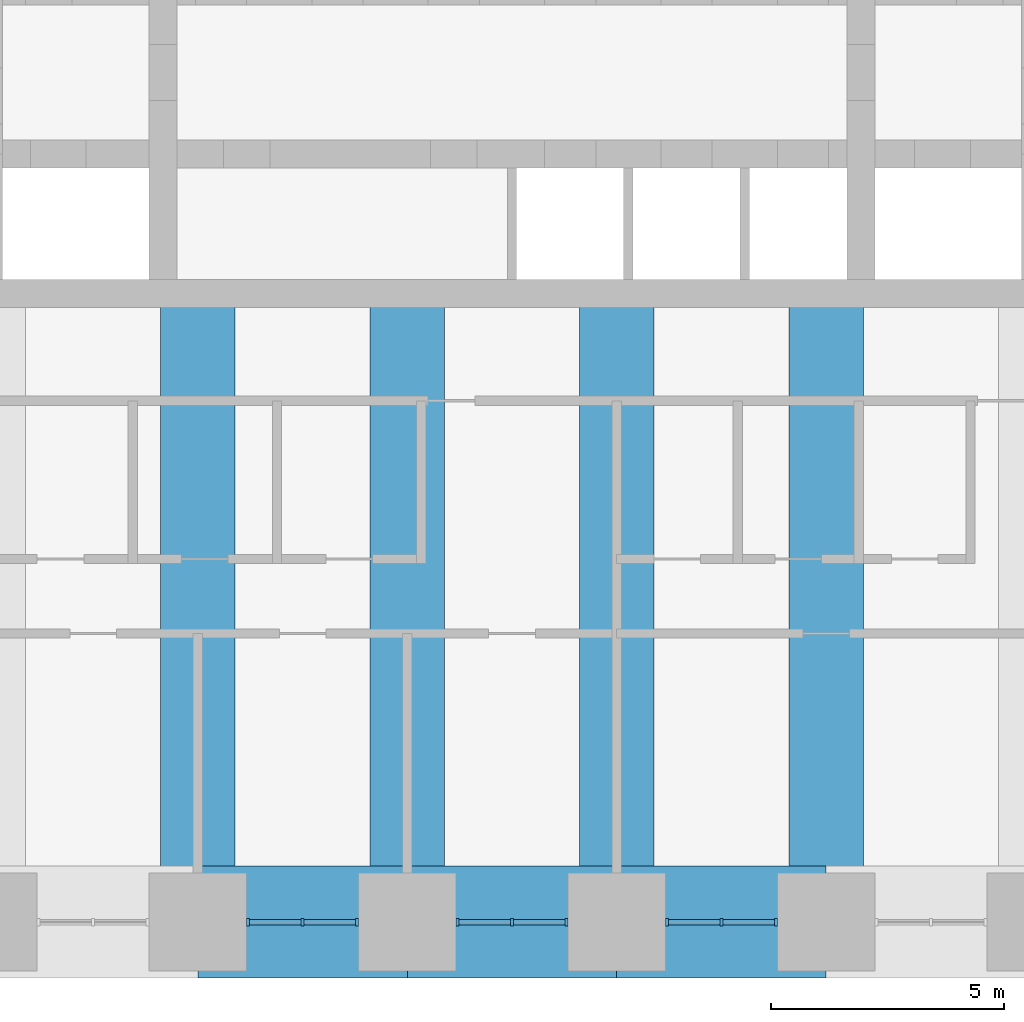
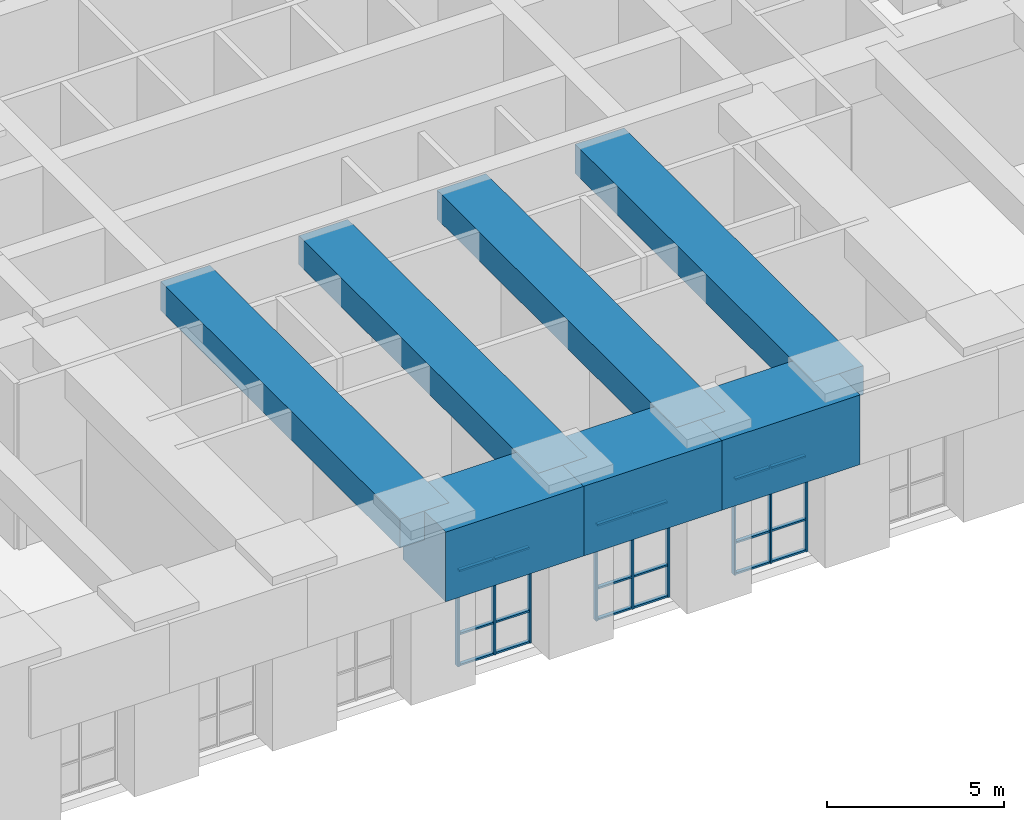
# One storey, part 3 of 17: 27 members, 7 beams, 3 elements without a shape of their own.
"""IFC4 building model written with IfcOpenShell, lengths in metres."""

from ifc_helpers import new_model, si_unit, direction, frame, origin, origin_2d, place, context, subcontext, project, spatial, rectangle, extrude, material, material_profile, profile_set, type_object, element, aggregate, save


model = new_model("IFC4")

# Units and contexts
model_context = context("Model", 3, precision=1e-05, world=origin(), true_north=direction((0.0, 1.0)))
body_context = subcontext(model_context, "Body", "Model", "MODEL_VIEW")
ifc_project = project(units=[si_unit("LENGTHUNIT", "METRE"), si_unit("AREAUNIT", "SQUARE_METRE"), si_unit("VOLUMEUNIT", "CUBIC_METRE"), si_unit("PLANEANGLEUNIT", "RADIAN"), si_unit("MASSUNIT", "GRAM", prefix="KILO")], contexts=[model_context])

# Site, building, storey
site_placement = place(None, origin())
site = spatial("IfcSite", under=ifc_project, at=site_placement, CompositionType="ELEMENT")
building_placement = place(site_placement, origin())
building = spatial("IfcBuilding", under=site, at=building_placement, Name="Kilele Tower Hotel", CompositionType="ELEMENT")
storey_placement = place(building_placement, frame((0.0, 0.0, 145.89990234375)))
storey = spatial("IfcBuildingStorey", under=building, at=storey_placement, Name="L38", CompositionType="ELEMENT", Elevation=145.89990234375)

# Beams
ifc_material_1 = material(Name="Concrete C60/75", Category="concrete")
ifc_material_profile_1 = material_profile(ifc_material_1, rectangle(XDim=1.60009765625, YDim=1.0, at=origin_2d()))
ifc_profile_set_1 = profile_set([ifc_material_profile_1], Name="Concrete C60/75")
beam_type_1 = type_object("IfcBeamType", Name="Beam RC 1600x1000 C60/75", PredefinedType="BEAM", material=ifc_profile_set_1)
for number, where, z_axis, x_axis, name in (
    (1, (18.0, 0.0, 5.2001953125), (0.0, 1.0, 0.0), (-1.0, 0.0, 0.0), "Beam BC1 level L39"),
    (2, (22.5, 0.0, 5.2001953125), (0.0, 1.0, 0.0), (-1.0, 0.0, 0.0), "Beam BC1 level L39"),
    (3, (27.0, 0.0, 5.2001953125), (0.0, 1.0, 0.0), (-1.0, 0.0, 0.0), "Beam BC1 level L39"),
    (4, (31.5, 0.0, 5.2001953125), (0.0, 1.0, 0.0), (-1.0, 0.0, 0.0), "Beam BC1 level L39"),
):
    element("IfcBeam", number, at=place(storey_placement, frame(where, z_axis=z_axis, x_axis=x_axis)), inside=storey, type_object=beam_type_1, Name=name, PredefinedType="BEAM", context=body_context, shape_type="SweptSolid", body=[
        extrude(rectangle(XDim=1.60009765625, YDim=1.0, at=origin_2d()), origin(), (0.0, 0.0, 1.0), 13.5),
    ])

# Curtain wall, members
ifc_material_2 = material(Name="Aluminium curtain wall, clear double glazing", Category="aluminium")
curtain_wall_type = type_object("IfcCurtainWallType", Name="Sky lobby curtain wall CW-3", PredefinedType="NOTDEFINED", material=ifc_material_2)
curtain_wall_1_placement = place(storey_placement, origin())
curtain_wall_1 = element("IfcCurtainWall", 5, at=curtain_wall_1_placement, inside=storey, type_object=curtain_wall_type, Name="Sky lobby curtain wall CW-3 L38", PredefinedType="NOTDEFINED")
ifc_material_3 = material(Name="Aluminium EN AW-6063 T6", Category="aluminium")
ifc_material_profile_2 = material_profile(ifc_material_3, rectangle(XDim=0.159912109375, YDim=0.06005859375, at=origin_2d()))
ifc_profile_set_2 = profile_set([ifc_material_profile_2], Name="Aluminium EN AW-6063 T6")
member_type_1 = type_object("IfcMemberType", Name="Mullion 60x160 CW-3", PredefinedType="MULLION", material=ifc_profile_set_2)
member_1_placement = place(storey_placement, frame((19.080078125, 0.0, 0.0), z_axis=(0.0, 0.0, 1.0), x_axis=(0.0, 1.0, 0.0)))
member_1 = element("IfcMember", 6, at=member_1_placement, type_object=member_type_1, Name="CW-3 mullion 1", PredefinedType="MULLION", context=body_context, shape_type="SweptSolid", body=[
    extrude(rectangle(XDim=0.159912109375, YDim=0.06005859375, at=origin_2d()), origin(), (0.0, 0.0, 1.0), 3.300048828125),
])
member_2_placement = place(storey_placement, frame((20.25, 0.0, 0.0), z_axis=(0.0, 0.0, 1.0), x_axis=(0.0, 1.0, 0.0)))
member_2 = element("IfcMember", 7, at=member_2_placement, type_object=member_type_1, Name="CW-3 mullion 2", PredefinedType="MULLION", context=body_context, shape_type="SweptSolid", body=[
    extrude(rectangle(XDim=0.159912109375, YDim=0.06005859375, at=origin_2d()), origin(), (0.0, 0.0, 1.0), 3.300048828125),
])
member_3_placement = place(storey_placement, frame((21.419921875, 0.0, 0.0), z_axis=(0.0, 0.0, 1.0), x_axis=(0.0, 1.0, 0.0)))
member_3 = element("IfcMember", 8, at=member_3_placement, type_object=member_type_1, Name="CW-3 mullion 3", PredefinedType="MULLION", context=body_context, shape_type="SweptSolid", body=[
    extrude(rectangle(XDim=0.159912109375, YDim=0.06005859375, at=origin_2d()), origin(), (0.0, 0.0, 1.0), 3.300048828125),
])

curtain_wall_2_placement = place(storey_placement, origin())
curtain_wall_2 = element("IfcCurtainWall", 9, at=curtain_wall_2_placement, inside=storey, type_object=curtain_wall_type, Name="Sky lobby curtain wall CW-3 L38", PredefinedType="NOTDEFINED")
member_4_placement = place(storey_placement, frame((23.580078125, 0.0, 0.0), z_axis=(0.0, 0.0, 1.0), x_axis=(0.0, 1.0, 0.0)))
member_4 = element("IfcMember", 10, at=member_4_placement, type_object=member_type_1, Name="CW-3 mullion 1", PredefinedType="MULLION", context=body_context, shape_type="SweptSolid", body=[
    extrude(rectangle(XDim=0.159912109375, YDim=0.06005859375, at=origin_2d()), origin(), (0.0, 0.0, 1.0), 3.300048828125),
])
member_5_placement = place(storey_placement, frame((24.75, 0.0, 0.0), z_axis=(0.0, 0.0, 1.0), x_axis=(0.0, 1.0, 0.0)))
member_5 = element("IfcMember", 11, at=member_5_placement, type_object=member_type_1, Name="CW-3 mullion 2", PredefinedType="MULLION", context=body_context, shape_type="SweptSolid", body=[
    extrude(rectangle(XDim=0.159912109375, YDim=0.06005859375, at=origin_2d()), origin(), (0.0, 0.0, 1.0), 3.300048828125),
])
member_6_placement = place(storey_placement, frame((25.919921875, 0.0, 0.0), z_axis=(0.0, 0.0, 1.0), x_axis=(0.0, 1.0, 0.0)))
member_6 = element("IfcMember", 12, at=member_6_placement, type_object=member_type_1, Name="CW-3 mullion 3", PredefinedType="MULLION", context=body_context, shape_type="SweptSolid", body=[
    extrude(rectangle(XDim=0.159912109375, YDim=0.06005859375, at=origin_2d()), origin(), (0.0, 0.0, 1.0), 3.300048828125),
])

curtain_wall_3_placement = place(storey_placement, origin())
curtain_wall_3 = element("IfcCurtainWall", 13, at=curtain_wall_3_placement, inside=storey, type_object=curtain_wall_type, Name="Sky lobby curtain wall CW-3 L38", PredefinedType="NOTDEFINED")
member_7_placement = place(storey_placement, frame((28.080078125, 0.0, 0.0), z_axis=(0.0, 0.0, 1.0), x_axis=(0.0, 1.0, 0.0)))
member_7 = element("IfcMember", 14, at=member_7_placement, type_object=member_type_1, Name="CW-3 mullion 1", PredefinedType="MULLION", context=body_context, shape_type="SweptSolid", body=[
    extrude(rectangle(XDim=0.159912109375, YDim=0.06005859375, at=origin_2d()), origin(), (0.0, 0.0, 1.0), 3.300048828125),
])
member_8_placement = place(storey_placement, frame((29.25, 0.0, 0.0), z_axis=(0.0, 0.0, 1.0), x_axis=(0.0, 1.0, 0.0)))
member_8 = element("IfcMember", 15, at=member_8_placement, type_object=member_type_1, Name="CW-3 mullion 2", PredefinedType="MULLION", context=body_context, shape_type="SweptSolid", body=[
    extrude(rectangle(XDim=0.159912109375, YDim=0.06005859375, at=origin_2d()), origin(), (0.0, 0.0, 1.0), 3.300048828125),
])
member_9_placement = place(storey_placement, frame((30.419921875, 0.0, 0.0), z_axis=(0.0, 0.0, 1.0), x_axis=(0.0, 1.0, 0.0)))
member_9 = element("IfcMember", 16, at=member_9_placement, type_object=member_type_1, Name="CW-3 mullion 3", PredefinedType="MULLION", context=body_context, shape_type="SweptSolid", body=[
    extrude(rectangle(XDim=0.159912109375, YDim=0.06005859375, at=origin_2d()), origin(), (0.0, 0.0, 1.0), 3.300048828125),
])

# Beams
ifc_material_4 = material(Name="Concrete C60/75", Category="concrete")
ifc_material_profile_3 = material_profile(ifc_material_4, rectangle(XDim=2.39990234375, YDim=2.39990234375, at=origin_2d()))
ifc_profile_set_3 = profile_set([ifc_material_profile_3], Name="Concrete C60/75")
beam_type_2 = type_object("IfcBeamType", Name="Spandrel RC 2400x2400 C60/75", PredefinedType="SPANDREL", material=ifc_profile_set_3)
for number, where, z_axis, x_axis, name in (
    (17, (18.0, 0.0, 4.5), (1.0, 0.0, 0.0), (0.0, 1.0, 0.0), "Spandrel SP15 level L39"),
    (18, (22.5, 0.0, 4.5), (1.0, 0.0, 0.0), (0.0, 1.0, 0.0), "Spandrel SP15 level L39"),
    (19, (27.0, 0.0, 4.5), (1.0, 0.0, 0.0), (0.0, 1.0, 0.0), "Spandrel SP15 level L39"),
):
    element("IfcBeam", number, at=place(storey_placement, frame(where, z_axis=z_axis, x_axis=x_axis)), inside=storey, type_object=beam_type_2, Name=name, PredefinedType="SPANDREL", context=body_context, shape_type="SweptSolid", body=[
        extrude(rectangle(XDim=2.39990234375, YDim=2.39990234375, at=origin_2d()), origin(), (0.0, 0.0, 1.0), 4.5),
    ])

# Member
ifc_material_5 = material(Name="Aluminium EN AW-6063 T6", Category="aluminium")
ifc_material_profile_4 = material_profile(ifc_material_5, rectangle(XDim=0.1201171875, YDim=0.06005859375, at=origin_2d()))
ifc_profile_set_4 = profile_set([ifc_material_profile_4], Name="Aluminium EN AW-6063 T6")
member_type_2 = type_object("IfcMemberType", Name="Transom 60x120 CW-3", PredefinedType="USERDEFINED", material=ifc_profile_set_4)
member_10_placement = place(storey_placement, frame((19.110107421875, 0.0, 0.030029296875), z_axis=(1.0, 0.0, 0.0), x_axis=(0.0, 1.0, 0.0)))
member_10 = element("IfcMember", 20, at=member_10_placement, type_object=member_type_2, Name="CW-3 transom 1.1", ObjectType="TRANSOM", PredefinedType="USERDEFINED", context=body_context, shape_type="SweptSolid", body=[
    extrude(rectangle(XDim=0.1201171875, YDim=0.06005859375, at=origin_2d()), origin(), (0.0, 0.0, 1.0), 1.10986328125),
])

member_11_placement = place(storey_placement, frame((19.110107421875, 0.0, 1.10009765625), z_axis=(1.0, 0.0, 0.0), x_axis=(0.0, 1.0, 0.0)))
member_11 = element("IfcMember", 21, at=member_11_placement, type_object=member_type_2, Name="CW-3 transom 1.2", ObjectType="TRANSOM", PredefinedType="USERDEFINED", context=body_context, shape_type="SweptSolid", body=[
    extrude(rectangle(XDim=0.1201171875, YDim=0.06005859375, at=origin_2d()), origin(), (0.0, 0.0, 1.0), 1.10986328125),
])

member_12_placement = place(storey_placement, frame((19.110107421875, 0.0, 3.27001953125), z_axis=(1.0, 0.0, 0.0), x_axis=(0.0, 1.0, 0.0)))
member_12 = element("IfcMember", 22, at=member_12_placement, type_object=member_type_2, Name="CW-3 transom 1.3", ObjectType="TRANSOM", PredefinedType="USERDEFINED", context=body_context, shape_type="SweptSolid", body=[
    extrude(rectangle(XDim=0.1201171875, YDim=0.06005859375, at=origin_2d()), origin(), (0.0, 0.0, 1.0), 1.10986328125),
])

member_13_placement = place(storey_placement, frame((20.280029296875, 0.0, 0.030029296875), z_axis=(1.0, 0.0, 0.0), x_axis=(0.0, 1.0, 0.0)))
member_13 = element("IfcMember", 23, at=member_13_placement, type_object=member_type_2, Name="CW-3 transom 2.1", ObjectType="TRANSOM", PredefinedType="USERDEFINED", context=body_context, shape_type="SweptSolid", body=[
    extrude(rectangle(XDim=0.1201171875, YDim=0.06005859375, at=origin_2d()), origin(), (0.0, 0.0, 1.0), 1.10986328125),
])

member_14_placement = place(storey_placement, frame((20.280029296875, 0.0, 1.10009765625), z_axis=(1.0, 0.0, 0.0), x_axis=(0.0, 1.0, 0.0)))
member_14 = element("IfcMember", 24, at=member_14_placement, type_object=member_type_2, Name="CW-3 transom 2.2", ObjectType="TRANSOM", PredefinedType="USERDEFINED", context=body_context, shape_type="SweptSolid", body=[
    extrude(rectangle(XDim=0.1201171875, YDim=0.06005859375, at=origin_2d()), origin(), (0.0, 0.0, 1.0), 1.10986328125),
])

member_15_placement = place(storey_placement, frame((20.280029296875, 0.0, 3.27001953125), z_axis=(1.0, 0.0, 0.0), x_axis=(0.0, 1.0, 0.0)))
member_15 = element("IfcMember", 25, at=member_15_placement, type_object=member_type_2, Name="CW-3 transom 2.3", ObjectType="TRANSOM", PredefinedType="USERDEFINED", context=body_context, shape_type="SweptSolid", body=[
    extrude(rectangle(XDim=0.1201171875, YDim=0.06005859375, at=origin_2d()), origin(), (0.0, 0.0, 1.0), 1.10986328125),
])

aggregate(curtain_wall_1, [member_1, member_2, member_3, member_10, member_11, member_12, member_13, member_14, member_15])

member_16_placement = place(storey_placement, frame((23.610107421875, 0.0, 0.030029296875), z_axis=(1.0, 0.0, 0.0), x_axis=(0.0, 1.0, 0.0)))
member_16 = element("IfcMember", 26, at=member_16_placement, type_object=member_type_2, Name="CW-3 transom 1.1", ObjectType="TRANSOM", PredefinedType="USERDEFINED", context=body_context, shape_type="SweptSolid", body=[
    extrude(rectangle(XDim=0.1201171875, YDim=0.06005859375, at=origin_2d()), origin(), (0.0, 0.0, 1.0), 1.10986328125),
])

member_17_placement = place(storey_placement, frame((23.610107421875, 0.0, 1.10009765625), z_axis=(1.0, 0.0, 0.0), x_axis=(0.0, 1.0, 0.0)))
member_17 = element("IfcMember", 27, at=member_17_placement, type_object=member_type_2, Name="CW-3 transom 1.2", ObjectType="TRANSOM", PredefinedType="USERDEFINED", context=body_context, shape_type="SweptSolid", body=[
    extrude(rectangle(XDim=0.1201171875, YDim=0.06005859375, at=origin_2d()), origin(), (0.0, 0.0, 1.0), 1.10986328125),
])

member_18_placement = place(storey_placement, frame((23.610107421875, 0.0, 3.27001953125), z_axis=(1.0, 0.0, 0.0), x_axis=(0.0, 1.0, 0.0)))
member_18 = element("IfcMember", 28, at=member_18_placement, type_object=member_type_2, Name="CW-3 transom 1.3", ObjectType="TRANSOM", PredefinedType="USERDEFINED", context=body_context, shape_type="SweptSolid", body=[
    extrude(rectangle(XDim=0.1201171875, YDim=0.06005859375, at=origin_2d()), origin(), (0.0, 0.0, 1.0), 1.10986328125),
])

member_19_placement = place(storey_placement, frame((24.780029296875, 0.0, 0.030029296875), z_axis=(1.0, 0.0, 0.0), x_axis=(0.0, 1.0, 0.0)))
member_19 = element("IfcMember", 29, at=member_19_placement, type_object=member_type_2, Name="CW-3 transom 2.1", ObjectType="TRANSOM", PredefinedType="USERDEFINED", context=body_context, shape_type="SweptSolid", body=[
    extrude(rectangle(XDim=0.1201171875, YDim=0.06005859375, at=origin_2d()), origin(), (0.0, 0.0, 1.0), 1.10986328125),
])

member_20_placement = place(storey_placement, frame((24.780029296875, 0.0, 1.10009765625), z_axis=(1.0, 0.0, 0.0), x_axis=(0.0, 1.0, 0.0)))
member_20 = element("IfcMember", 30, at=member_20_placement, type_object=member_type_2, Name="CW-3 transom 2.2", ObjectType="TRANSOM", PredefinedType="USERDEFINED", context=body_context, shape_type="SweptSolid", body=[
    extrude(rectangle(XDim=0.1201171875, YDim=0.06005859375, at=origin_2d()), origin(), (0.0, 0.0, 1.0), 1.10986328125),
])

member_21_placement = place(storey_placement, frame((24.780029296875, 0.0, 3.27001953125), z_axis=(1.0, 0.0, 0.0), x_axis=(0.0, 1.0, 0.0)))
member_21 = element("IfcMember", 31, at=member_21_placement, type_object=member_type_2, Name="CW-3 transom 2.3", ObjectType="TRANSOM", PredefinedType="USERDEFINED", context=body_context, shape_type="SweptSolid", body=[
    extrude(rectangle(XDim=0.1201171875, YDim=0.06005859375, at=origin_2d()), origin(), (0.0, 0.0, 1.0), 1.10986328125),
])

aggregate(curtain_wall_2, [member_4, member_5, member_6, member_16, member_17, member_18, member_19, member_20, member_21])

member_22_placement = place(storey_placement, frame((28.110107421875, 0.0, 0.030029296875), z_axis=(1.0, 0.0, 0.0), x_axis=(0.0, 1.0, 0.0)))
member_22 = element("IfcMember", 32, at=member_22_placement, type_object=member_type_2, Name="CW-3 transom 1.1", ObjectType="TRANSOM", PredefinedType="USERDEFINED", context=body_context, shape_type="SweptSolid", body=[
    extrude(rectangle(XDim=0.1201171875, YDim=0.06005859375, at=origin_2d()), origin(), (0.0, 0.0, 1.0), 1.10986328125),
])

member_23_placement = place(storey_placement, frame((28.110107421875, 0.0, 1.10009765625), z_axis=(1.0, 0.0, 0.0), x_axis=(0.0, 1.0, 0.0)))
member_23 = element("IfcMember", 33, at=member_23_placement, type_object=member_type_2, Name="CW-3 transom 1.2", ObjectType="TRANSOM", PredefinedType="USERDEFINED", context=body_context, shape_type="SweptSolid", body=[
    extrude(rectangle(XDim=0.1201171875, YDim=0.06005859375, at=origin_2d()), origin(), (0.0, 0.0, 1.0), 1.10986328125),
])

member_24_placement = place(storey_placement, frame((28.110107421875, 0.0, 3.27001953125), z_axis=(1.0, 0.0, 0.0), x_axis=(0.0, 1.0, 0.0)))
member_24 = element("IfcMember", 34, at=member_24_placement, type_object=member_type_2, Name="CW-3 transom 1.3", ObjectType="TRANSOM", PredefinedType="USERDEFINED", context=body_context, shape_type="SweptSolid", body=[
    extrude(rectangle(XDim=0.1201171875, YDim=0.06005859375, at=origin_2d()), origin(), (0.0, 0.0, 1.0), 1.10986328125),
])

member_25_placement = place(storey_placement, frame((29.280029296875, 0.0, 0.030029296875), z_axis=(1.0, 0.0, 0.0), x_axis=(0.0, 1.0, 0.0)))
member_25 = element("IfcMember", 35, at=member_25_placement, type_object=member_type_2, Name="CW-3 transom 2.1", ObjectType="TRANSOM", PredefinedType="USERDEFINED", context=body_context, shape_type="SweptSolid", body=[
    extrude(rectangle(XDim=0.1201171875, YDim=0.06005859375, at=origin_2d()), origin(), (0.0, 0.0, 1.0), 1.10986328125),
])

member_26_placement = place(storey_placement, frame((29.280029296875, 0.0, 1.10009765625), z_axis=(1.0, 0.0, 0.0), x_axis=(0.0, 1.0, 0.0)))
member_26 = element("IfcMember", 36, at=member_26_placement, type_object=member_type_2, Name="CW-3 transom 2.2", ObjectType="TRANSOM", PredefinedType="USERDEFINED", context=body_context, shape_type="SweptSolid", body=[
    extrude(rectangle(XDim=0.1201171875, YDim=0.06005859375, at=origin_2d()), origin(), (0.0, 0.0, 1.0), 1.10986328125),
])

member_27_placement = place(storey_placement, frame((29.280029296875, 0.0, 3.27001953125), z_axis=(1.0, 0.0, 0.0), x_axis=(0.0, 1.0, 0.0)))
member_27 = element("IfcMember", 37, at=member_27_placement, type_object=member_type_2, Name="CW-3 transom 2.3", ObjectType="TRANSOM", PredefinedType="USERDEFINED", context=body_context, shape_type="SweptSolid", body=[
    extrude(rectangle(XDim=0.1201171875, YDim=0.06005859375, at=origin_2d()), origin(), (0.0, 0.0, 1.0), 1.10986328125),
])

aggregate(curtain_wall_3, [member_7, member_8, member_9, member_22, member_23, member_24, member_25, member_26, member_27])

save(model, "model.ifc")
